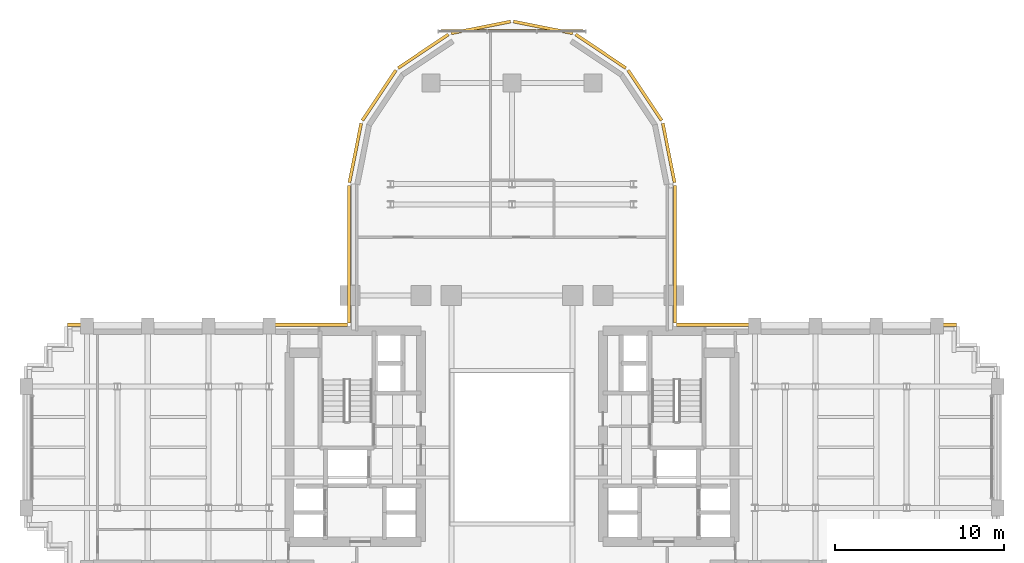
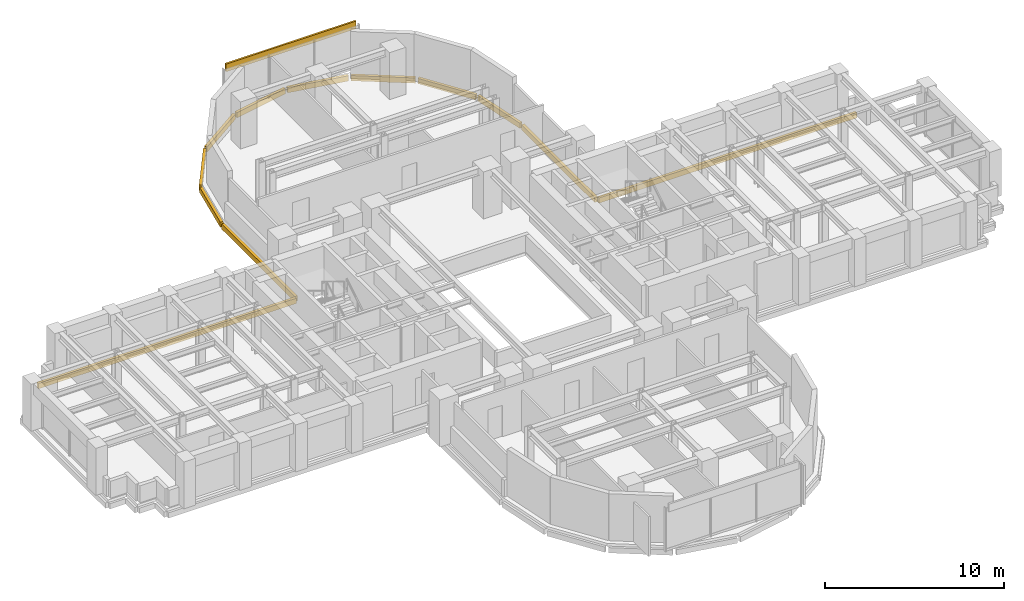
# One storey, part 16 of 16: 13 coverings.
"""IFC4 building model written with IfcOpenShell, lengths in metres."""

from ifc_helpers import new_model, si_unit, direction, frame, origin, origin_2d, place, context, subcontext, project, spatial, rectangle, extrude, source, transform, mapped, material, layer, layer_set, type_object, element, save


model = new_model("IFC4")

# Units and contexts
model_context = context("Model", 3, precision=1e-05, world=origin(), true_north=direction((0.0, 1.0)))
body_context = subcontext(model_context, "Body", "Model", "MODEL_VIEW")
ifc_project = project(units=[si_unit("LENGTHUNIT", "METRE"), si_unit("AREAUNIT", "SQUARE_METRE"), si_unit("VOLUMEUNIT", "CUBIC_METRE"), si_unit("PLANEANGLEUNIT", "RADIAN"), si_unit("MASSUNIT", "GRAM", prefix="KILO")], contexts=[model_context])

# Site, building, storey
site_placement = place(None, origin())
site = spatial("IfcSite", under=ifc_project, at=site_placement, CompositionType="ELEMENT")
building_placement = place(site_placement, origin())
building = spatial("IfcBuilding", under=site, at=building_placement, Name="Keilestroom Media Tower", CompositionType="ELEMENT")
storey_placement = place(building_placement, frame((0.0, 0.0, 74.800048828125)))
storey = spatial("IfcBuildingStorey", under=building, at=storey_placement, Name="L19", CompositionType="ELEMENT", Elevation=74.800048828125)

# Coverings
ifc_material = material(Name="Precast concrete C40/50", Category="concrete")
ifc_layer = layer(ifc_material, 0.1201171875)
ifc_layer_set = layer_set([ifc_layer], Name="Precast concrete C40/50")
covering_type = type_object("IfcCoveringType", Name="Exterior-Precast-Spandrel-Cladding-Panel-120", PredefinedType="CLADDING", material=ifc_layer_set)
shared_shape_1 = source(origin(), body_context, "Body", "SweptSolid", [
    extrude(rectangle(XDim=8.39990234375, YDim=0.1201171875, at=origin_2d()), origin(), (0.0, 0.0, 1.0), 0.52001953125),
])
covering_placement = place(storey_placement, frame((0.0, 24.719970703125, 2.68994140625), z_axis=(0.0, 0.0, 1.0), x_axis=(1.0, 0.0, 0.0)))
element("IfcCovering", 1, at=covering_placement, inside=storey, type_object=covering_type, Name="L19 Precast Spandrel Cladding N", PredefinedType="CLADDING", context=body_context, shape_type="MappedRepresentation", body=[
    mapped(shared_shape_1, transform((0.0, 0.0, 0.0), x_axis=(1.0, 0.0, 0.0), y_axis=(0.0, 1.0, 0.0), z_axis=(0.0, 0.0, 1.0), scale=1.0)),
])
shared_shape_2 = source(origin(), body_context, "Body", "SweptSolid", [
    extrude(rectangle(XDim=16.6201171875, YDim=0.179931640625, at=origin_2d()), origin(), (0.0, 0.0, 1.0), 0.360107421875),
])
for number, where, z_axis, x_axis, name in (
    (2, (-18.06005859375, 7.260009765625, -0.5400390625), (0.0, 0.0, 1.0), (1.0, 0.0, 0.0), "L19 Precast Slab-Edge Fascia Cornice 26"),
    (3, (18.06005859375, 7.260009765625, -0.5400390625), (0.0, 0.0, 1.0), (1.0, 0.0, 0.0), "L19 Precast Slab-Edge Fascia Cornice 37"),
):
    element("IfcCovering", number, at=place(storey_placement, frame(where, z_axis=z_axis, x_axis=x_axis)), inside=storey, type_object=covering_type, Name=name, PredefinedType="CLADDING", context=body_context, shape_type="MappedRepresentation", body=[
        mapped(shared_shape_2, transform((0.0, 0.0, 0.0), x_axis=(1.0, 0.0, 0.0), y_axis=(0.0, 1.0, 0.0), z_axis=(0.0, 0.0, 1.0), scale=1.0)),
    ])
shared_shape_3 = source(origin(), body_context, "Body", "SweptSolid", [
    extrude(rectangle(XDim=8.166015625, YDim=0.179931640625, at=origin_2d()), origin(), (0.0, 0.0, 1.0), 0.360107421875),
])
for number, where, z_axis, x_axis, name in (
    (4, (-9.659912109375, 11.43310546875, -0.5400390625), (0.0, 0.0, 1.0), (0.0, 1.0, 0.0), "L19 Precast Slab-Edge Fascia Cornice 27"),
    (5, (9.659912109375, 11.43310546875, -0.5400390625), (0.0, 0.0, 1.0), (0.0, -1.0, 0.0), "L19 Precast Slab-Edge Fascia Cornice 36"),
):
    element("IfcCovering", number, at=place(storey_placement, frame(where, z_axis=z_axis, x_axis=x_axis)), inside=storey, type_object=covering_type, Name=name, PredefinedType="CLADDING", context=body_context, shape_type="MappedRepresentation", body=[
        mapped(shared_shape_3, transform((0.0, 0.0, 0.0), x_axis=(1.0, 0.0, 0.0), y_axis=(0.0, 1.0, 0.0), z_axis=(0.0, 0.0, 1.0), scale=1.0)),
    ])
shared_shape_4 = source(origin(), body_context, "Body", "SweptSolid", [
    extrude(rectangle(XDim=3.58349609375, YDim=0.179931640625, at=origin_2d()), origin(), (0.0, 0.0, 1.0), 0.360107421875),
])
for number, where, z_axis, x_axis, name in (
    (6, (-9.29296875, 17.45166015625, -0.5400390625), (0.0, 0.0, 1.0), (0.195098880975, 0.980783577882, 0.0), "L19 Precast Slab-Edge Fascia Cornice 28"),
    (7, (9.29296875, 17.45166015625, -0.5400390625), (0.0, 0.0, 1.0), (0.195098880975, -0.980783577882, 0.0), "L19 Precast Slab-Edge Fascia Cornice 35"),
):
    element("IfcCovering", number, at=place(storey_placement, frame(where, z_axis=z_axis, x_axis=x_axis)), inside=storey, type_object=covering_type, Name=name, PredefinedType="CLADDING", context=body_context, shape_type="MappedRepresentation", body=[
        mapped(shared_shape_4, transform((0.0, 0.0, 0.0), x_axis=(1.0, 0.0, 0.0), y_axis=(0.0, 1.0, 0.0), z_axis=(0.0, 0.0, 1.0), scale=1.0)),
    ])
shared_shape_5 = source(origin(), body_context, "Body", "SweptSolid", [
    extrude(rectangle(XDim=3.589599609375, YDim=0.179931640625, at=origin_2d()), origin(), (0.0, 0.0, 1.0), 0.360107421875),
])
for number, where, z_axis, x_axis, name in (
    (8, (-7.878662109375, 20.8642578125, -0.5400390625), (0.0, 0.0, 1.0), (0.555574586577, 0.831466703332, 0.0), "L19 Precast Slab-Edge Fascia Cornice 29"),
    (9, (-5.264404296875, 23.478515625, -0.5400390625), (0.0, 0.0, 1.0), (0.831466703332, 0.555574586577, 0.0), "L19 Precast Slab-Edge Fascia Cornice 30"),
    (10, (-1.8486328125, 24.893310546875, -0.5400390625), (0.0, 0.0, 1.0), (0.980783577882, 0.195098880975, 0.0), "L19 Precast Slab-Edge Fascia Cornice 31"),
    (11, (1.8486328125, 24.893310546875, -0.5400390625), (0.0, 0.0, 1.0), (0.980783577882, -0.195098880975, 0.0), "L19 Precast Slab-Edge Fascia Cornice 32"),
    (12, (5.264404296875, 23.478515625, -0.5400390625), (0.0, 0.0, 1.0), (0.831466703332, -0.555574586577, 0.0), "L19 Precast Slab-Edge Fascia Cornice 33"),
    (13, (7.878662109375, 20.8642578125, -0.5400390625), (0.0, 0.0, 1.0), (0.555574586577, -0.831466703332, 0.0), "L19 Precast Slab-Edge Fascia Cornice 34"),
):
    element("IfcCovering", number, at=place(storey_placement, frame(where, z_axis=z_axis, x_axis=x_axis)), inside=storey, type_object=covering_type, Name=name, PredefinedType="CLADDING", context=body_context, shape_type="MappedRepresentation", body=[
        mapped(shared_shape_5, transform((0.0, 0.0, 0.0), x_axis=(1.0, 0.0, 0.0), y_axis=(0.0, 1.0, 0.0), z_axis=(0.0, 0.0, 1.0), scale=1.0)),
    ])

save(model, "model.ifc")
